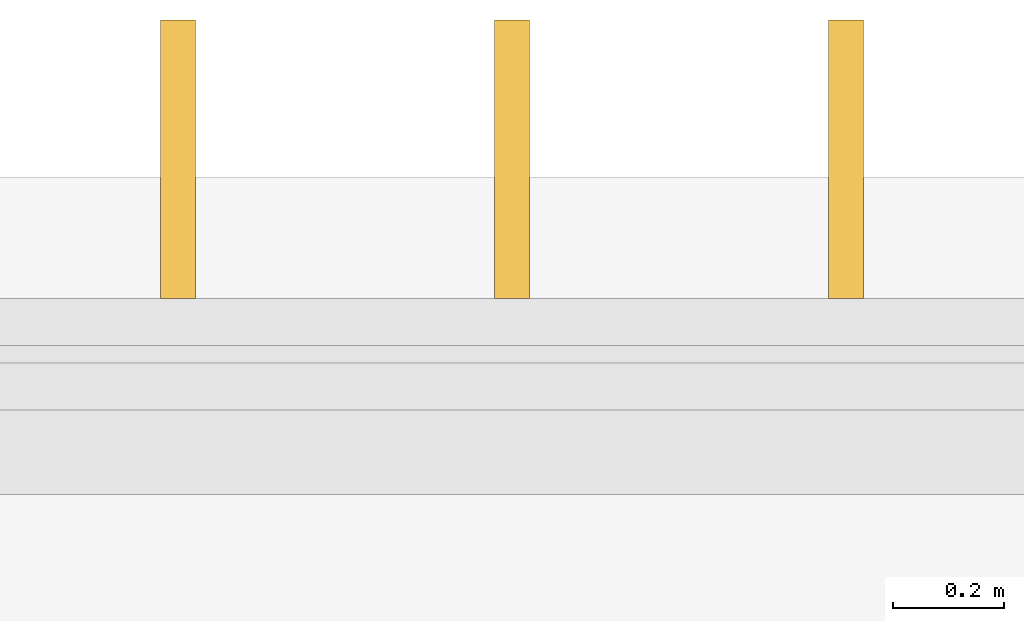
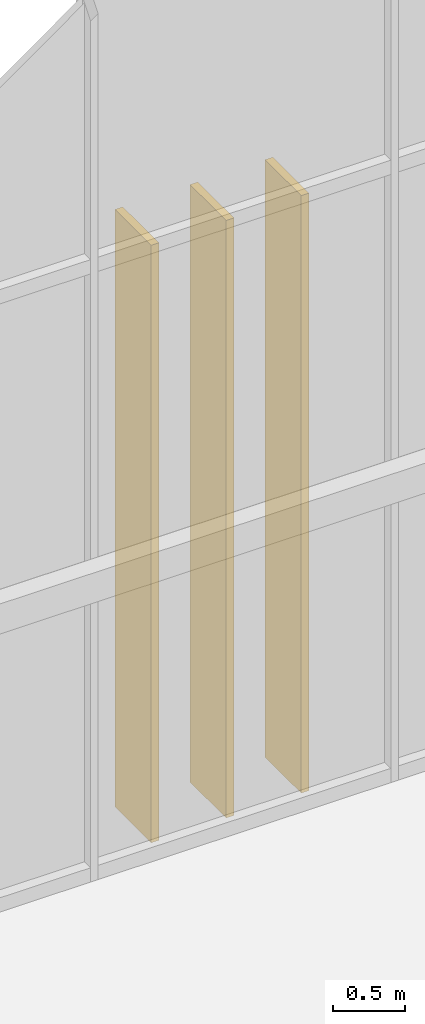
# One storey, part 88 of 93: 3 shading devices.
"""IFC4 building model written with IfcOpenShell, lengths in metres."""

from ifc_helpers import new_model, si_unit, direction, frame, origin, place, context, subcontext, project, spatial, polyline, outline, extrude, material, layer, layer_set, type_object, element, save


model = new_model("IFC4")

# Units and contexts
model_context = context("Model", 3, precision=1e-05, world=origin(), true_north=direction((0.0, 1.0)))
body_context = subcontext(model_context, "Body", "Model", "MODEL_VIEW")
ifc_project = project(units=[si_unit("LENGTHUNIT", "METRE"), si_unit("AREAUNIT", "SQUARE_METRE"), si_unit("VOLUMEUNIT", "CUBIC_METRE"), si_unit("PLANEANGLEUNIT", "RADIAN"), si_unit("MASSUNIT", "GRAM", prefix="KILO")], contexts=[model_context])

# Site, building, storey
site_placement = place(None, origin())
site = spatial("IfcSite", under=ifc_project, at=site_placement, CompositionType="ELEMENT")
building_placement = place(site_placement, origin())
building = spatial("IfcBuilding", under=site, at=building_placement, Name="Verrick Yard Athletic Hall", CompositionType="ELEMENT")
storey_placement = place(building_placement, frame((0.0, 0.0, 8.800048828125)))
storey = spatial("IfcBuildingStorey", under=building, at=storey_placement, Name="L02", CompositionType="ELEMENT", Elevation=8.800048828125)

# Shading devices
ifc_material = material(Name="Anodised aluminium", Category="aluminium")
ifc_layer = layer(ifc_material, 0.0625)
ifc_layer_set = layer_set([ifc_layer], Name="Hall facade fin")
shading_device_type = type_object("IfcShadingDeviceType", Name="Hall facade fin", PredefinedType="USERDEFINED", material=ifc_layer_set)
for number, where, z_axis, x_axis, name in (
    (1, (136.60009765625, 107.78173828125, 0.0), (0.0, 0.0, 1.0), (0.0, 1.0, 0.0), "ENVB-HAN-FIN24"),
    (2, (137.199951171875, 107.78173828125, 0.0), (0.0, 0.0, 1.0), (0.0, 1.0, 0.0), "ENVB-HAN-FIN25"),
    (3, (137.800048828125, 107.78173828125, 0.0), (0.0, 0.0, 1.0), (0.0, 1.0, 0.0), "ENVB-HAN-FIN26"),
):
    element("IfcShadingDevice", number, at=place(storey_placement, frame(where, z_axis=z_axis, x_axis=x_axis)), inside=storey, type_object=shading_device_type, Name=name, ObjectType="FIN", PredefinedType="USERDEFINED", context=body_context, shape_type="SweptSolid", body=[
        extrude(outline(polyline([(0.0, 0.0), (0.5, 0.0), (0.5, 5.050048828125), (0.0, 5.050048828125), (0.0, 0.0)])), frame((0.0, 0.03125, 0.0), z_axis=(0.0, -1.0, 0.0), x_axis=(1.0, 0.0, 0.0)), (0.0, 0.0, 1.0), 0.0625),
    ])

save(model, "model.ifc")
